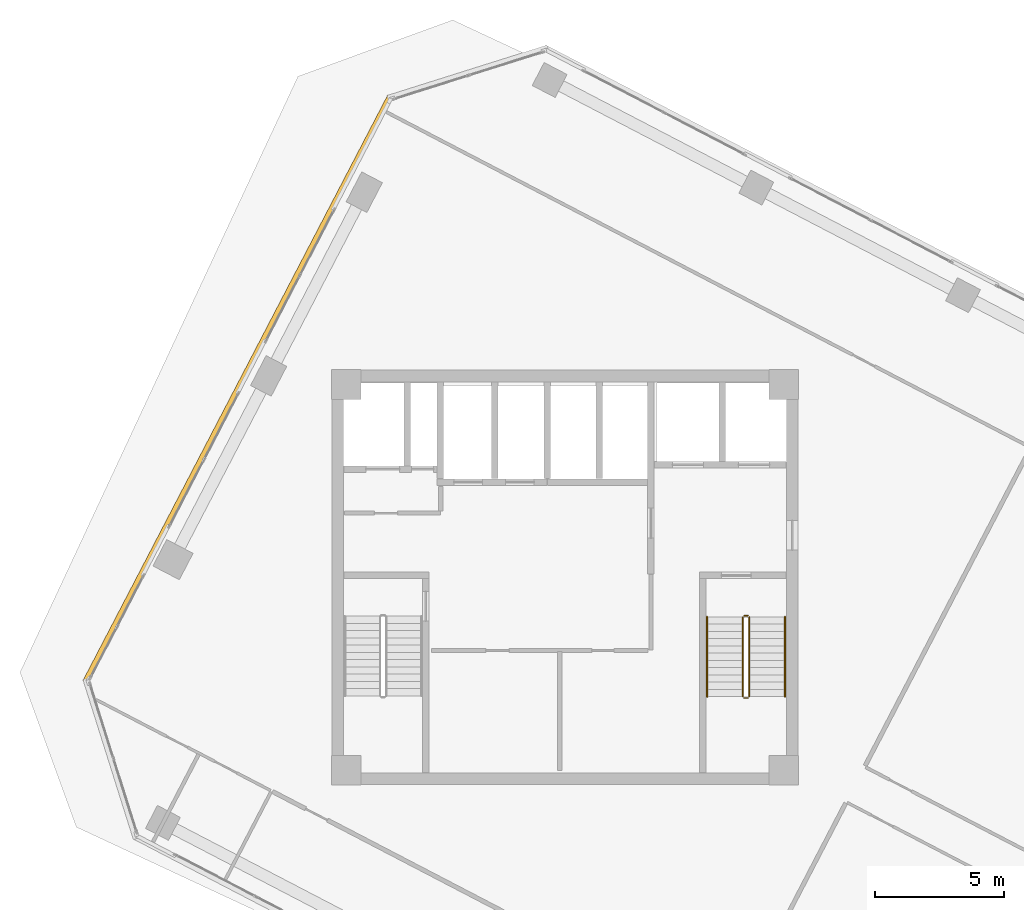
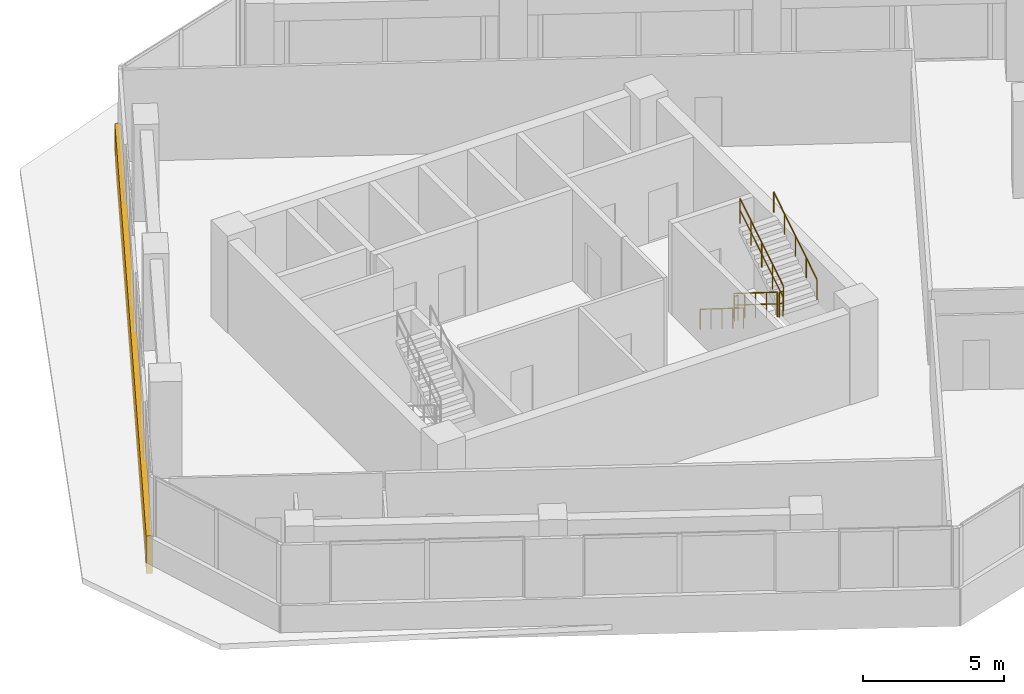
# One storey, part 20 of 22: 6 railings, 1 covering.
"""IFC4 building model written with IfcOpenShell, lengths in metres."""

import ifcopenshell
import ifcopenshell.guid

model = None  # the IFC model being written
_history = None  # IfcOwnerHistory: only IFC2X3 demands one
_inside = {}  # id of a spatial element -> (the spatial element, [elements in it])
_under = {}  # id of a project, library or spatial element -> (it, [spatial elements below it])
_declared = {}  # id of a project -> (the project, [libraries it declares])
_typed = {}  # id of a type object -> (the type object, [elements of that type])
_made_of = {}  # id of a material, layer set ... -> (it, [elements and type objects made of it])


def new_model(schema):
    """Start an empty IFC model of exactly this schema.

    Asked for "IFC4X3", IfcOpenShell would pick the latest addendum, in which some entities
    have other attributes; the version numbers below select the first issue.
    IFC2X3 requires an IfcOwnerHistory on every rooted entity: one is made here for all.
    """
    global model, _history
    if schema == "IFC4X3":
        model = ifcopenshell.file(schema_version=(4, 3, 0, 0))
    else:
        model = ifcopenshell.file(schema=schema)
    _inside.clear()
    _under.clear()
    _declared.clear()
    _typed.clear()
    _made_of.clear()
    _history = None
    if model.schema == "IFC2X3":
        org = make("IfcOrganization", Name="unknown")
        user = make(
            "IfcPersonAndOrganization",
            ThePerson=make("IfcPerson", FamilyName="unknown"),
            TheOrganization=org,
        )
        app = make(
            "IfcApplication",
            ApplicationDeveloper=org,
            Version="unknown",
            ApplicationFullName="unknown",
            ApplicationIdentifier="unknown",
        )
        _history = make(
            "IfcOwnerHistory",
            OwningUser=user,
            OwningApplication=app,
            ChangeAction="ADDED",
            CreationDate=0,
        )
    return model


def make(cls, **values):
    """One entity of the class cls with the attributes given. An attribute that is None is left unset."""
    return model.create_entity(
        cls, **{name: value for name, value in values.items() if value is not None}
    )


def rooted(cls, **values):
    """An entity with a GlobalId (a new one), such as an element, a storey or a relation."""
    return make(cls, GlobalId=ifcopenshell.guid.new(), OwnerHistory=_history, **values)


def si_unit(unit_type, name, prefix=None):
    """IfcSIUnit, for example si_unit("LENGTHUNIT", "METRE", prefix="MILLI")."""
    return make("IfcSIUnit", UnitType=unit_type, Prefix=prefix, Name=name)


def assignment(units):
    """IfcUnitAssignment: the units of a project."""
    return None if units is None else make("IfcUnitAssignment", Units=units)


def point(xyz):
    """IfcCartesianPoint."""
    return None if xyz is None else make("IfcCartesianPoint", Coordinates=xyz)


def direction(xyz):
    """IfcDirection."""
    return None if xyz is None else make("IfcDirection", DirectionRatios=xyz)


def frame(location, z_axis=None, x_axis=None):
    """IfcAxis2Placement3D, a coordinate frame: its origin and axes. An axis left out is left unset."""
    return make(
        "IfcAxis2Placement3D",
        Location=point(location),
        Axis=direction(z_axis),
        RefDirection=direction(x_axis),
    )


def frame_2d(location, x_axis=None):
    """IfcAxis2Placement2D, a coordinate frame in the plane: its origin and x axis."""
    return make(
        "IfcAxis2Placement2D", Location=point(location), RefDirection=direction(x_axis)
    )


def origin():
    """The frame at (0, 0, 0) with its axes left unset."""
    return frame((0.0, 0.0, 0.0))


def origin_2d():
    """The frame at (0, 0) in the plane with its x axis left unset."""
    return frame_2d((0.0, 0.0))


def place(relative_to, where):
    """IfcLocalPlacement: puts the frame where relative to a parent placement (None: the world)."""
    return make(
        "IfcLocalPlacement", PlacementRelTo=relative_to, RelativePlacement=where
    )


def context(
    kind, dimensions, precision=None, world=None, true_north=None, identifier=None
):
    """IfcGeometricRepresentationContext, for example the 3D "Model" context."""
    return make(
        "IfcGeometricRepresentationContext",
        ContextIdentifier=identifier,
        ContextType=kind,
        CoordinateSpaceDimension=dimensions,
        Precision=precision,
        WorldCoordinateSystem=world,
        TrueNorth=true_north,
    )


def subcontext(parent, identifier, kind, view, scale=None):
    """IfcGeometricRepresentationSubContext, for example "Body" below "Model"."""
    return make(
        "IfcGeometricRepresentationSubContext",
        ContextIdentifier=identifier,
        ContextType=kind,
        ParentContext=parent,
        TargetScale=scale,
        TargetView=view,
    )


def project(units=None, contexts=None):
    """IfcProject with its units and contexts."""
    return rooted(
        "IfcProject",
        Name="project",
        RepresentationContexts=contexts,
        UnitsInContext=assignment(units),
    )


def spatial(cls, under=None, at=None, **own):
    """A site, building, storey or space (cls), placed at a placement, below another one or the project."""
    s = rooted(cls, ObjectPlacement=at, **own)
    if under is not None:
        _under.setdefault(under.id(), (under, []))[1].append(s)
    return s


def profile(cls, at=None, kind="AREA", **sizes):
    """A parametric profile (cls). Its sizes go by their IFC names, for example OverallWidth=200.0."""
    return make(cls, ProfileType=kind, Position=at, **sizes)


def rectangle(**sizes):
    """IfcRectangleProfileDef."""
    return profile("IfcRectangleProfileDef", **sizes)


def circle(**sizes):
    """IfcCircleProfileDef."""
    return profile("IfcCircleProfileDef", **sizes)


def extrude(swept, where, along, depth):
    """IfcExtrudedAreaSolid: the profile swept, set in the frame where, extruded along a direction by depth."""
    return make(
        "IfcExtrudedAreaSolid",
        SweptArea=swept,
        Position=where,
        ExtrudedDirection=direction(along),
        Depth=depth,
    )


def shape(context_of_items, identifier, shape_type, items):
    """IfcShapeRepresentation: the items that make up one representation, for example the "Body"."""
    return make(
        "IfcShapeRepresentation",
        ContextOfItems=context_of_items,
        RepresentationIdentifier=identifier,
        RepresentationType=shape_type,
        Items=items,
    )


def source(mapping_origin, context_of_items, identifier, shape_type, items):
    """IfcRepresentationMap: a shape defined once, which mapped items show again and again."""
    return make(
        "IfcRepresentationMap",
        MappingOrigin=mapping_origin,
        MappedRepresentation=shape(context_of_items, identifier, shape_type, items),
    )


def transform(
    local_origin,
    x_axis=None,
    y_axis=None,
    z_axis=None,
    scale=None,
    scale2=None,
    scale3=None,
    uniform=True,
):
    """IfcCartesianTransformationOperator3D, or its non-uniform kind. x_axis, y_axis, z_axis: its Axis1, 2, 3."""
    if uniform:
        return make(
            "IfcCartesianTransformationOperator3D",
            Axis1=direction(x_axis),
            Axis2=direction(y_axis),
            LocalOrigin=point(local_origin),
            Scale=scale,
            Axis3=direction(z_axis),
        )
    return make(
        "IfcCartesianTransformationOperator3DnonUniform",
        Axis1=direction(x_axis),
        Axis2=direction(y_axis),
        LocalOrigin=point(local_origin),
        Scale=scale,
        Axis3=direction(z_axis),
        Scale2=scale2,
        Scale3=scale3,
    )


def mapped(mapping_source, mapping_target):
    """IfcMappedItem: shows the shape of a source again, moved by a transform."""
    return make(
        "IfcMappedItem", MappingSource=mapping_source, MappingTarget=mapping_target
    )


def material(Name=None, Category=None):
    """IfcMaterial."""
    return make("IfcMaterial", Name=Name, Category=Category)


def layer(
    of_material, thickness, ventilated=None, Name=None, Category=None, Priority=None
):
    """IfcMaterialLayer: one layer of a wall or slab, of a material (None: an air gap)."""
    return make(
        "IfcMaterialLayer",
        Material=of_material,
        LayerThickness=thickness,
        IsVentilated=ventilated,
        Name=Name,
        Category=Category,
        Priority=Priority,
    )


def layer_set(layers, Name=None):
    """IfcMaterialLayerSet."""
    return make("IfcMaterialLayerSet", MaterialLayers=layers, LayerSetName=Name)


def made_of(thing, what):
    """Note that an element or type object is made of a material, layer set ...; save() writes the relation."""
    if what is not None:
        _made_of.setdefault(what.id(), (what, []))[1].append(thing)
    return thing


def type_object(cls, material=None, **own):
    """A type object (cls), such as IfcWallType, which elements share."""
    return made_of(rooted(cls, **own), material)


def element(
    cls,
    number,
    at=None,
    inside=None,
    cuts=None,
    type_object=None,
    material=None,
    context=None,
    identifier="Body",
    shape_type=None,
    held_by="IfcProductDefinitionShape",
    body=None,
    shapes=None,
    **own,
):
    """One element of the class cls, such as IfcWall. Its Tag is "e" and its number.

    at: its placement. inside: the storey or other place that contains it. cuts: it is an
    opening in that element (IfcRelVoidsElement). A single representation is given by context,
    identifier, shape_type and body (its items); several are given by shapes. held_by: the class
    of the entity that holds the representations. save() writes the other relations.
    """
    e = rooted(cls, Tag="e%d" % number, ObjectPlacement=at, **own)
    if body is not None:
        shapes = [shape(context, identifier, shape_type, body)]
    if shapes is not None:
        e.Representation = make(held_by, Representations=shapes)
    if inside is not None:
        _inside.setdefault(inside.id(), (inside, []))[1].append(e)
    if cuts is not None:
        rooted(
            "IfcRelVoidsElement", RelatingBuildingElement=cuts, RelatedOpeningElement=e
        )
    if type_object is not None:
        _typed.setdefault(type_object.id(), (type_object, []))[1].append(e)
    return made_of(e, material)


def aggregate(whole, parts):
    """IfcRelAggregates: a whole, such as a stair, and the parts it consists of."""
    return rooted("IfcRelAggregates", RelatingObject=whole, RelatedObjects=parts)


def save(model, path):
    """Write the relations noted so far, then the file.

    IfcRelAggregates (storeys below a building ...), IfcRelContainedInSpatialStructure (elements
    in a storey), IfcRelDefinesByType, IfcRelAssociatesMaterial and IfcRelDeclares: one each for
    every whole, place, type object, material and project.
    """
    for whole, parts in _under.values():
        aggregate(whole, parts)
    for where, things in _inside.values():
        rooted(
            "IfcRelContainedInSpatialStructure",
            RelatedElements=things,
            RelatingStructure=where,
        )
    for kind, things in _typed.values():
        rooted("IfcRelDefinesByType", RelatedObjects=things, RelatingType=kind)
    for what, things in _made_of.values():
        rooted("IfcRelAssociatesMaterial", RelatedObjects=things, RelatingMaterial=what)
    for by, libraries in _declared.values():
        rooted("IfcRelDeclares", RelatingContext=by, RelatedDefinitions=libraries)
    model.write(path)


model = new_model("IFC4")

# Units and contexts
model_context = context("Model", 3, precision=1e-05, world=origin(), true_north=direction((0.0, 1.0)))
body_context = subcontext(model_context, "Body", "Model", "MODEL_VIEW")
ifc_project = project(units=[si_unit("LENGTHUNIT", "METRE"), si_unit("AREAUNIT", "SQUARE_METRE"), si_unit("VOLUMEUNIT", "CUBIC_METRE"), si_unit("PLANEANGLEUNIT", "RADIAN"), si_unit("MASSUNIT", "GRAM", prefix="KILO")], contexts=[model_context])

# Site, building, storey
site_placement = place(None, origin())
site = spatial("IfcSite", under=ifc_project, at=site_placement, CompositionType="ELEMENT")
building_placement = place(site_placement, origin())
building = spatial("IfcBuilding", under=site, at=building_placement, Name="Torre Montelarca", CompositionType="ELEMENT")
storey_placement = place(building_placement, frame((0.0, 0.0, 166.60009765625)))
storey = spatial("IfcBuildingStorey", under=building, at=storey_placement, Name="L37", CompositionType="ELEMENT", Elevation=166.60009765625)

# Railings
ifc_material_1 = material(Name="Powder-coated steel ASTM A500 Grade C", Category="steel")
railing_type_1 = type_object("IfcRailingType", Name="RL-GUARD-1100", PredefinedType="BALUSTRADE", material=ifc_material_1)
railing_1_placement = place(storey_placement, frame((24.8701171875, 30.469970703125, 0.1748046875)))
element("IfcRailing", 1, at=railing_1_placement, inside=storey, type_object=railing_type_1, Name="L37 ST2 stair guard 1", PredefinedType="BALUSTRADE", context=body_context, shape_type="SweptSolid", body=[
    extrude(circle(Radius=0.02392578125, at=origin_2d()), frame((0.0, 0.0, 1.076171875), z_axis=(0.0, -0.847998304005, 0.529998940003), x_axis=(1.0, 0.0, 0.0)), (0.0, 0.0, 1.0), 3.632080078125),
    extrude(circle(Radius=0.02099609375, at=origin_2d()), frame((0.0, 0.0, 0.572021484375), z_axis=(0.0, -0.847998304005, 0.529998940003), x_axis=(1.0, 0.0, 0.0)), (0.0, 0.0, 1.0), 3.632080078125),
    extrude(circle(Radius=0.02099609375, at=origin_2d()), origin(), (0.0, 0.0, 1.0), 1.052001953125),
    extrude(circle(Radius=0.02099609375, at=origin_2d()), frame((0.0, -0.77001953125, 0.481201171875)), (0.0, 0.0, 1.0), 1.052001953125),
    extrude(circle(Radius=0.02099609375, at=origin_2d()), frame((0.0, -1.5400390625, 0.96240234375)), (0.0, 0.0, 1.0), 1.052001953125),
    extrude(circle(Radius=0.02099609375, at=origin_2d()), frame((0.0, -2.31005859375, 1.44384765625)), (0.0, 0.0, 1.0), 1.052001953125),
    extrude(circle(Radius=0.02099609375, at=origin_2d()), frame((0.0, -3.080078125, 1.925048828125)), (0.0, 0.0, 1.0), 1.052001953125),
])
railing_2_placement = place(storey_placement, frame((24.919921875, 27.340087890625, 2.099853515625)))
element("IfcRailing", 2, at=railing_2_placement, inside=storey, type_object=railing_type_1, Name="L37 ST2 stair guard 2", PredefinedType="BALUSTRADE", context=body_context, shape_type="SweptSolid", body=[
    extrude(circle(Radius=0.02392578125, at=origin_2d()), frame((0.0, 0.0, 1.076171875), z_axis=(1.0, 0.0, 0.0), x_axis=(0.0, 1.0, 0.0)), (0.0, 0.0, 1.0), 0.150146484375),
    extrude(circle(Radius=0.02099609375, at=origin_2d()), frame((0.0, 0.0, 0.572021484375), z_axis=(1.0, 0.0, 0.0), x_axis=(0.0, 1.0, 0.0)), (0.0, 0.0, 1.0), 0.150146484375),
    extrude(circle(Radius=0.02099609375, at=origin_2d()), origin(), (0.0, 0.0, 1.0), 1.052001953125),
    extrude(circle(Radius=0.02099609375, at=origin_2d()), frame((0.150146484375, 0.0, 0.0)), (0.0, 0.0, 1.0), 1.052001953125),
])
railing_3_placement = place(storey_placement, frame((25.1201171875, 27.389892578125, 2.27490234375)))
element("IfcRailing", 3, at=railing_3_placement, inside=storey, type_object=railing_type_1, Name="L37 ST2 stair guard 3", PredefinedType="BALUSTRADE", context=body_context, shape_type="SweptSolid", body=[
    extrude(circle(Radius=0.02392578125, at=origin_2d()), frame((0.0, 0.0, 1.076171875), z_axis=(0.0, 0.847998304005, 0.529998940003), x_axis=(-1.0, 0.0, 0.0)), (0.0, 0.0, 1.0), 3.632080078125),
    extrude(circle(Radius=0.02099609375, at=origin_2d()), frame((0.0, 0.0, 0.572021484375), z_axis=(0.0, 0.847998304005, 0.529998940003), x_axis=(-1.0, 0.0, 0.0)), (0.0, 0.0, 1.0), 3.632080078125),
    extrude(circle(Radius=0.02099609375, at=origin_2d()), origin(), (0.0, 0.0, 1.0), 1.052001953125),
    extrude(circle(Radius=0.02099609375, at=origin_2d()), frame((0.0, 0.77001953125, 0.481201171875)), (0.0, 0.0, 1.0), 1.052001953125),
    extrude(circle(Radius=0.02099609375, at=origin_2d()), frame((0.0, 1.5400390625, 0.96240234375)), (0.0, 0.0, 1.0), 1.052001953125),
    extrude(circle(Radius=0.02099609375, at=origin_2d()), frame((0.0, 2.31005859375, 1.44384765625)), (0.0, 0.0, 1.0), 1.052001953125),
    extrude(circle(Radius=0.02099609375, at=origin_2d()), frame((0.0, 3.080078125, 1.925048828125)), (0.0, 0.0, 1.0), 1.052001953125),
])
railing_4_placement = place(storey_placement, frame((24.919921875, 30.52001953125, 0.0)))
element("IfcRailing", 4, at=railing_4_placement, inside=storey, type_object=railing_type_1, Name="L37 ST2 stair guard 4", PredefinedType="BALUSTRADE", context=body_context, shape_type="SweptSolid", body=[
    extrude(circle(Radius=0.02392578125, at=origin_2d()), frame((0.0, 0.0, 1.076171875), z_axis=(1.0, 0.0, 0.0), x_axis=(0.0, 1.0, 0.0)), (0.0, 0.0, 1.0), 0.150146484375),
    extrude(circle(Radius=0.02099609375, at=origin_2d()), frame((0.0, 0.0, 0.572021484375), z_axis=(1.0, 0.0, 0.0), x_axis=(0.0, 1.0, 0.0)), (0.0, 0.0, 1.0), 0.150146484375),
    extrude(circle(Radius=0.02099609375, at=origin_2d()), origin(), (0.0, 0.0, 1.0), 1.052001953125),
    extrude(circle(Radius=0.02099609375, at=origin_2d()), frame((0.150146484375, 0.0, 0.0)), (0.0, 0.0, 1.0), 1.052001953125),
])
ifc_material_2 = material(Name="Brushed stainless steel AISI 316", Category="steel")
railing_type_2 = type_object("IfcRailingType", Name="RL-HANDRAIL-900", PredefinedType="HANDRAIL", material=ifc_material_2)
railing_5_placement = place(storey_placement, frame((23.489990234375, 30.469970703125, 0.1748046875)))
element("IfcRailing", 5, at=railing_5_placement, inside=storey, type_object=railing_type_2, Name="L37 ST2 stair handrail 1", PredefinedType="HANDRAIL", context=body_context, shape_type="SweptSolid", body=[
    extrude(circle(Radius=0.02392578125, at=origin_2d()), frame((0.0, 0.0, 0.8759765625), z_axis=(0.0, -0.847998304005, 0.529998940003), x_axis=(1.0, 0.0, 0.0)), (0.0, 0.0, 1.0), 3.632080078125),
    extrude(circle(Radius=0.02099609375, at=origin_2d()), origin(), (0.0, 0.0, 1.0), 0.851806640625),
    extrude(circle(Radius=0.02099609375, at=origin_2d()), frame((0.0, -0.77001953125, 0.481201171875)), (0.0, 0.0, 1.0), 0.851806640625),
    extrude(circle(Radius=0.02099609375, at=origin_2d()), frame((0.0, -1.5400390625, 0.96240234375)), (0.0, 0.0, 1.0), 0.851806640625),
    extrude(circle(Radius=0.02099609375, at=origin_2d()), frame((0.0, -2.31005859375, 1.44384765625)), (0.0, 0.0, 1.0), 0.851806640625),
    extrude(circle(Radius=0.02099609375, at=origin_2d()), frame((0.0, -3.080078125, 1.925048828125)), (0.0, 0.0, 1.0), 0.851806640625),
])
railing_6_placement = place(storey_placement, frame((26.5, 27.389892578125, 2.27490234375)))
element("IfcRailing", 6, at=railing_6_placement, inside=storey, type_object=railing_type_2, Name="L37 ST2 stair handrail 2", PredefinedType="HANDRAIL", context=body_context, shape_type="SweptSolid", body=[
    extrude(circle(Radius=0.02392578125, at=origin_2d()), frame((0.0, 0.0, 0.8759765625), z_axis=(0.0, 0.847998304005, 0.529998940003), x_axis=(-1.0, 0.0, 0.0)), (0.0, 0.0, 1.0), 3.632080078125),
    extrude(circle(Radius=0.02099609375, at=origin_2d()), origin(), (0.0, 0.0, 1.0), 0.851806640625),
    extrude(circle(Radius=0.02099609375, at=origin_2d()), frame((0.0, 0.77001953125, 0.481201171875)), (0.0, 0.0, 1.0), 0.851806640625),
    extrude(circle(Radius=0.02099609375, at=origin_2d()), frame((0.0, 1.5400390625, 0.96240234375)), (0.0, 0.0, 1.0), 0.851806640625),
    extrude(circle(Radius=0.02099609375, at=origin_2d()), frame((0.0, 2.31005859375, 1.44384765625)), (0.0, 0.0, 1.0), 0.851806640625),
    extrude(circle(Radius=0.02099609375, at=origin_2d()), frame((0.0, 3.080078125, 1.925048828125)), (0.0, 0.0, 1.0), 0.851806640625),
])

# Covering
ifc_material_3 = material(Name="Bush-hammered warm white precast concrete C45/55", Category="concrete")
ifc_layer = layer(ifc_material_3, 0.139892578125, Name="Bush-hammered warm white precast concrete C45/55", Category="concrete")
ifc_layer_set = layer_set([ifc_layer], Name="Bush-hammered warm white precast concrete C45/55")
covering_type = type_object("IfcCoveringType", Name="COV-TRAY-CLAD", PredefinedType="CLADDING", material=ifc_layer_set)
shared_shape = source(origin(), body_context, "Body", "SweptSolid", [
    extrude(rectangle(XDim=25.52001953125, YDim=0.219970703125, at=origin_2d()), origin(), (0.0, 0.0, 1.0), 1.6201171875),
])
covering_placement = place(storey_placement, frame((5.36474609375, 39.272216796875, -0.4501953125), z_axis=(0.0, 0.0, 1.0), x_axis=(-0.461747065108, -0.88701163908, 0.0)))
element("IfcCovering", 7, at=covering_placement, inside=storey, type_object=covering_type, Name="L37 Architectural White Spandrel Tray Band TRYBOT-10", PredefinedType="CLADDING", context=body_context, shape_type="MappedRepresentation", body=[
    mapped(shared_shape, transform((0.0, 0.0, 0.0), scale=1.0)),
])

save(model, "model.ifc")
